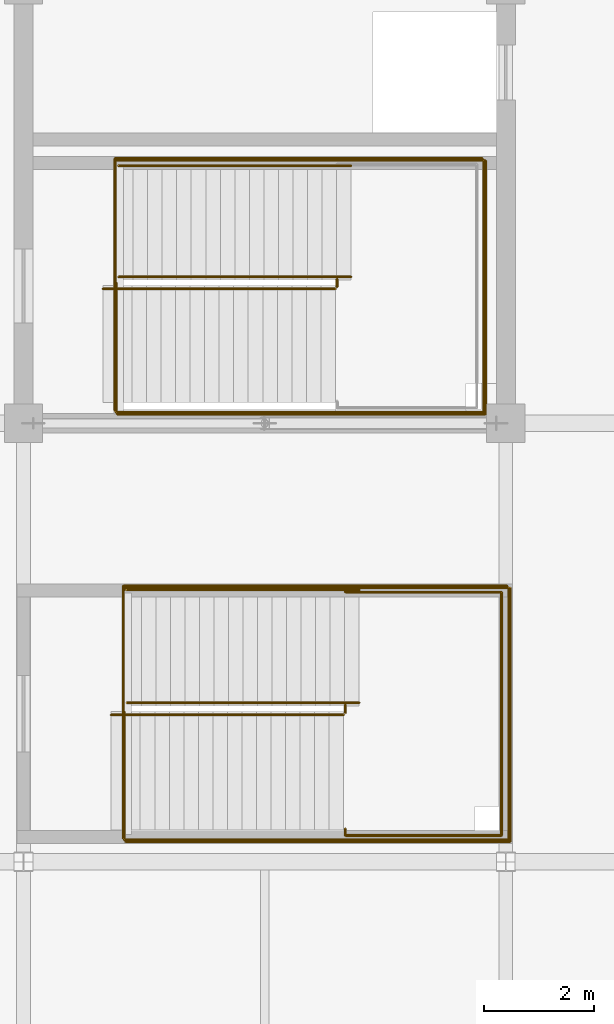
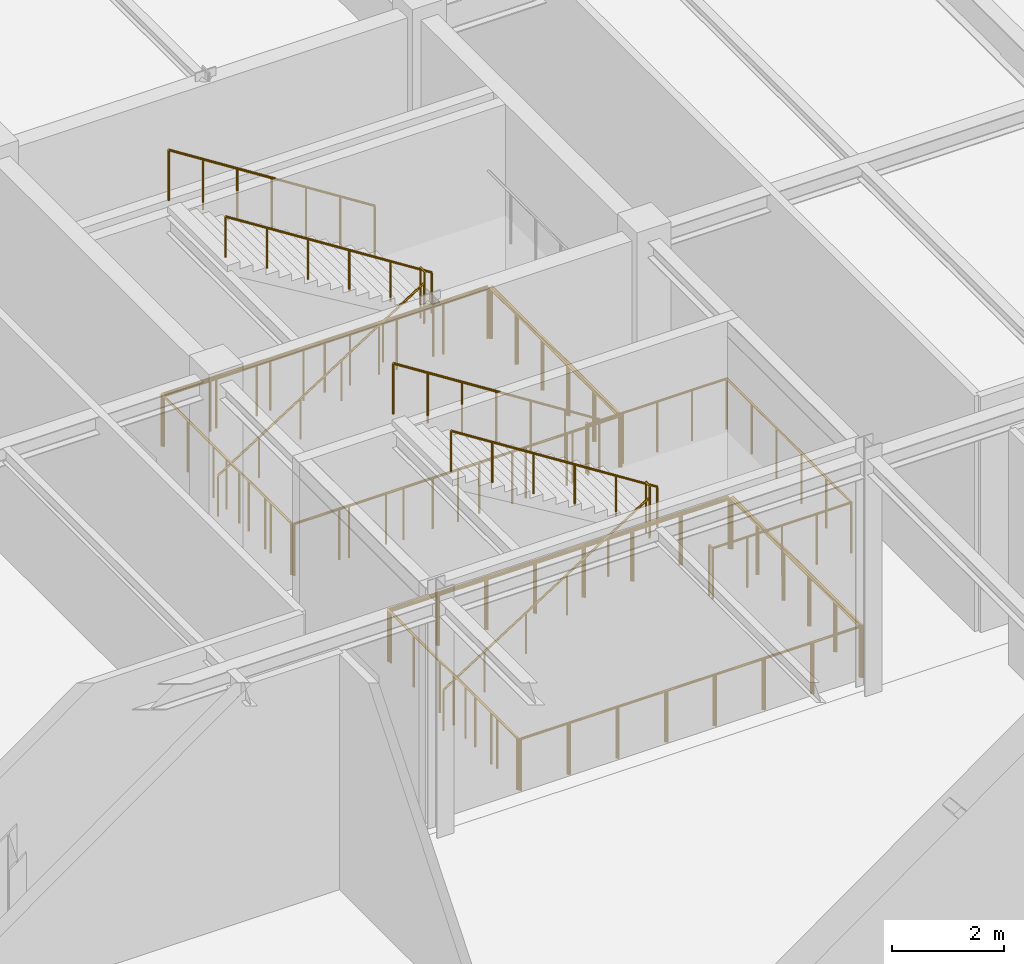
# One storey, part 102 of 108: 15 railings.
"""IFC4 building model written with IfcOpenShell, lengths in metres."""

from ifc_helpers import new_model, si_unit, direction, frame, origin, origin_2d, place, context, subcontext, project, spatial, circle, extrude, material, type_object, element, save


model = new_model("IFC4")

# Units and contexts
model_context = context("Model", 3, precision=1e-05, world=origin(), true_north=direction((0.0, 1.0)))
body_context = subcontext(model_context, "Body", "Model", "MODEL_VIEW")
ifc_project = project(units=[si_unit("LENGTHUNIT", "METRE"), si_unit("AREAUNIT", "SQUARE_METRE"), si_unit("VOLUMEUNIT", "CUBIC_METRE"), si_unit("PLANEANGLEUNIT", "RADIAN"), si_unit("MASSUNIT", "GRAM", prefix="KILO")], contexts=[model_context])

# Site, building, storey
site_placement = place(None, origin())
site = spatial("IfcSite", under=ifc_project, at=site_placement, CompositionType="ELEMENT")
building_placement = place(site_placement, origin())
building = spatial("IfcBuilding", under=site, at=building_placement, Name="Zhaolan Boulevard Law Courts", CompositionType="ELEMENT")
storey_placement = place(building_placement, frame((0.0, 0.0, 10.800048828125)))
storey = spatial("IfcBuildingStorey", under=building, at=storey_placement, Name="L02", CompositionType="ELEMENT", Elevation=10.800048828125)

# Railings
ifc_material_1 = material(Name="Powder-coated steel and tempered laminated glass", Category="steel")
railing_type_1 = type_object("IfcRailingType", Name="INTERIOR GUARDRAIL 1150", PredefinedType="GUARDRAIL", material=ifc_material_1)
railing_1_placement = place(storey_placement, frame((19.31005859375, 86.169921875, 0.0)))
element("IfcRailing", 1, at=railing_1_placement, inside=storey, type_object=railing_type_1, Name="Atrium Gallery Guardrail VG-2-V3-2A", PredefinedType="GUARDRAIL", context=body_context, shape_type="SweptSolid", body=[
    extrude(circle(Radius=0.02490234375, at=origin_2d()), frame((0.0, 0.0, 1.125), z_axis=(1.0, 0.0, 0.0), x_axis=(0.0, 1.0, 0.0)), (0.0, 0.0, 1.0), 6.719970703125),
    extrude(circle(Radius=0.02490234375, at=origin_2d()), frame((6.719970703125, 0.0, 1.125), z_axis=(0.0, 1.0, 0.0), x_axis=(-1.0, 0.0, 0.0)), (0.0, 0.0, 1.0), 4.6201171875),
    extrude(circle(Radius=0.02099609375, at=origin_2d()), origin(), (0.0, 0.0, 1.0), 1.099853515625),
    extrude(circle(Radius=0.02099609375, at=origin_2d()), frame((1.1201171875, 0.0, 0.0)), (0.0, 0.0, 1.0), 1.099853515625),
    extrude(circle(Radius=0.02099609375, at=origin_2d()), frame((2.239990234375, 0.0, 0.0)), (0.0, 0.0, 1.0), 1.099853515625),
    extrude(circle(Radius=0.02099609375, at=origin_2d()), frame((3.35986328125, 0.0, 0.0)), (0.0, 0.0, 1.0), 1.099853515625),
    extrude(circle(Radius=0.02099609375, at=origin_2d()), frame((4.47998046875, 0.0, 0.0)), (0.0, 0.0, 1.0), 1.099853515625),
    extrude(circle(Radius=0.02099609375, at=origin_2d()), frame((5.60009765625, 0.0, 0.0)), (0.0, 0.0, 1.0), 1.099853515625),
    extrude(circle(Radius=0.02099609375, at=origin_2d()), frame((6.719970703125, 0.0, 0.0)), (0.0, 0.0, 1.0), 1.099853515625),
    extrude(circle(Radius=0.02099609375, at=origin_2d()), frame((6.719970703125, 0.924072265625, 0.0)), (0.0, 0.0, 1.0), 1.099853515625),
    extrude(circle(Radius=0.02099609375, at=origin_2d()), frame((6.719970703125, 1.84814453125, 0.0)), (0.0, 0.0, 1.0), 1.099853515625),
    extrude(circle(Radius=0.02099609375, at=origin_2d()), frame((6.719970703125, 2.77197265625, 0.0)), (0.0, 0.0, 1.0), 1.099853515625),
    extrude(circle(Radius=0.02099609375, at=origin_2d()), frame((6.719970703125, 3.696044921875, 0.0)), (0.0, 0.0, 1.0), 1.099853515625),
    extrude(circle(Radius=0.02099609375, at=origin_2d()), frame((6.719970703125, 4.6201171875, 0.0)), (0.0, 0.0, 1.0), 1.099853515625),
])
railing_2_placement = place(storey_placement, frame((25.969970703125, 90.830078125, 0.0)))
element("IfcRailing", 2, at=railing_2_placement, inside=storey, type_object=railing_type_1, Name="Atrium Gallery Guardrail VG-2-V3-2B", PredefinedType="GUARDRAIL", context=body_context, shape_type="SweptSolid", body=[
    extrude(circle(Radius=0.02490234375, at=origin_2d()), frame((0.0, 0.0, 1.125), z_axis=(-1.0, 0.0, 0.0), x_axis=(0.0, -1.0, 0.0)), (0.0, 0.0, 1.0), 6.699951171875),
    extrude(circle(Radius=0.02490234375, at=origin_2d()), frame((-6.699951171875, 0.0, 1.125), z_axis=(0.0, -1.0, 0.0), x_axis=(1.0, 0.0, 0.0)), (0.0, 0.0, 1.0), 4.60009765625),
    extrude(circle(Radius=0.02099609375, at=origin_2d()), origin(), (0.0, 0.0, 1.0), 1.099853515625),
    extrude(circle(Radius=0.02099609375, at=origin_2d()), frame((-1.11669921875, 0.0, 0.0)), (0.0, 0.0, 1.0), 1.099853515625),
    extrude(circle(Radius=0.02099609375, at=origin_2d()), frame((-2.2333984375, 0.0, 0.0)), (0.0, 0.0, 1.0), 1.099853515625),
    extrude(circle(Radius=0.02099609375, at=origin_2d()), frame((-3.35009765625, 0.0, 0.0)), (0.0, 0.0, 1.0), 1.099853515625),
    extrude(circle(Radius=0.02099609375, at=origin_2d()), frame((-4.466552734375, 0.0, 0.0)), (0.0, 0.0, 1.0), 1.099853515625),
    extrude(circle(Radius=0.02099609375, at=origin_2d()), frame((-5.583251953125, 0.0, 0.0)), (0.0, 0.0, 1.0), 1.099853515625),
    extrude(circle(Radius=0.02099609375, at=origin_2d()), frame((-6.699951171875, 0.0, 0.0)), (0.0, 0.0, 1.0), 1.099853515625),
    extrude(circle(Radius=0.02099609375, at=origin_2d()), frame((-6.699951171875, -0.919921875, 0.0)), (0.0, 0.0, 1.0), 1.099853515625),
    extrude(circle(Radius=0.02099609375, at=origin_2d()), frame((-6.699951171875, -1.840087890625, 0.0)), (0.0, 0.0, 1.0), 1.099853515625),
    extrude(circle(Radius=0.02099609375, at=origin_2d()), frame((-6.699951171875, -2.760009765625, 0.0)), (0.0, 0.0, 1.0), 1.099853515625),
    extrude(circle(Radius=0.02099609375, at=origin_2d()), frame((-6.699951171875, -3.68017578125, 0.0)), (0.0, 0.0, 1.0), 1.099853515625),
    extrude(circle(Radius=0.02099609375, at=origin_2d()), frame((-6.699951171875, -4.60009765625, 0.0)), (0.0, 0.0, 1.0), 1.099853515625),
])
railing_3_placement = place(storey_placement, frame((19.4599609375, 78.3701171875, 0.0)))
element("IfcRailing", 3, at=railing_3_placement, inside=storey, type_object=railing_type_1, Name="Atrium Gallery Guardrail VG-2-V3-3A", PredefinedType="GUARDRAIL", context=body_context, shape_type="SweptSolid", body=[
    extrude(circle(Radius=0.02490234375, at=origin_2d()), frame((0.0, 0.0, 1.125), z_axis=(1.0, 0.0, 0.0), x_axis=(0.0, 1.0, 0.0)), (0.0, 0.0, 1.0), 7.02001953125),
    extrude(circle(Radius=0.02490234375, at=origin_2d()), frame((7.02001953125, 0.0, 1.125), z_axis=(0.0, 1.0, 0.0), x_axis=(-1.0, 0.0, 0.0)), (0.0, 0.0, 1.0), 4.619873046875),
    extrude(circle(Radius=0.02099609375, at=origin_2d()), origin(), (0.0, 0.0, 1.0), 1.099853515625),
    extrude(circle(Radius=0.02099609375, at=origin_2d()), frame((1.0029296875, 0.0, 0.0)), (0.0, 0.0, 1.0), 1.099853515625),
    extrude(circle(Radius=0.02099609375, at=origin_2d()), frame((2.005615234375, 0.0, 0.0)), (0.0, 0.0, 1.0), 1.099853515625),
    extrude(circle(Radius=0.02099609375, at=origin_2d()), frame((3.008544921875, 0.0, 0.0)), (0.0, 0.0, 1.0), 1.099853515625),
    extrude(circle(Radius=0.02099609375, at=origin_2d()), frame((4.011474609375, 0.0, 0.0)), (0.0, 0.0, 1.0), 1.099853515625),
    extrude(circle(Radius=0.02099609375, at=origin_2d()), frame((5.014404296875, 0.0, 0.0)), (0.0, 0.0, 1.0), 1.099853515625),
    extrude(circle(Radius=0.02099609375, at=origin_2d()), frame((6.01708984375, 0.0, 0.0)), (0.0, 0.0, 1.0), 1.099853515625),
    extrude(circle(Radius=0.02099609375, at=origin_2d()), frame((7.02001953125, 0.0, 0.0)), (0.0, 0.0, 1.0), 1.099853515625),
    extrude(circle(Radius=0.02099609375, at=origin_2d()), frame((7.02001953125, 0.924072265625, 0.0)), (0.0, 0.0, 1.0), 1.099853515625),
    extrude(circle(Radius=0.02099609375, at=origin_2d()), frame((7.02001953125, 1.847900390625, 0.0)), (0.0, 0.0, 1.0), 1.099853515625),
    extrude(circle(Radius=0.02099609375, at=origin_2d()), frame((7.02001953125, 2.77197265625, 0.0)), (0.0, 0.0, 1.0), 1.099853515625),
    extrude(circle(Radius=0.02099609375, at=origin_2d()), frame((7.02001953125, 3.69580078125, 0.0)), (0.0, 0.0, 1.0), 1.099853515625),
    extrude(circle(Radius=0.02099609375, at=origin_2d()), frame((7.02001953125, 4.619873046875, 0.0)), (0.0, 0.0, 1.0), 1.099853515625),
])
railing_4_placement = place(storey_placement, frame((26.419921875, 83.030029296875, 0.0)))
element("IfcRailing", 4, at=railing_4_placement, inside=storey, type_object=railing_type_1, Name="Atrium Gallery Guardrail VG-2-V3-3B", PredefinedType="GUARDRAIL", context=body_context, shape_type="SweptSolid", body=[
    extrude(circle(Radius=0.02490234375, at=origin_2d()), frame((0.0, 0.0, 1.125), z_axis=(-1.0, 0.0, 0.0), x_axis=(0.0, -1.0, 0.0)), (0.0, 0.0, 1.0), 7.0),
    extrude(circle(Radius=0.02490234375, at=origin_2d()), frame((-7.0, 0.0, 1.125), z_axis=(0.0, -1.0, 0.0), x_axis=(1.0, 0.0, 0.0)), (0.0, 0.0, 1.0), 4.60009765625),
    extrude(circle(Radius=0.02099609375, at=origin_2d()), origin(), (0.0, 0.0, 1.0), 1.099853515625),
    extrude(circle(Radius=0.02099609375, at=origin_2d()), frame((-1.0, 0.0, 0.0)), (0.0, 0.0, 1.0), 1.099853515625),
    extrude(circle(Radius=0.02099609375, at=origin_2d()), frame((-2.0, 0.0, 0.0)), (0.0, 0.0, 1.0), 1.099853515625),
    extrude(circle(Radius=0.02099609375, at=origin_2d()), frame((-3.0, 0.0, 0.0)), (0.0, 0.0, 1.0), 1.099853515625),
    extrude(circle(Radius=0.02099609375, at=origin_2d()), frame((-4.0, 0.0, 0.0)), (0.0, 0.0, 1.0), 1.099853515625),
    extrude(circle(Radius=0.02099609375, at=origin_2d()), frame((-5.0, 0.0, 0.0)), (0.0, 0.0, 1.0), 1.099853515625),
    extrude(circle(Radius=0.02099609375, at=origin_2d()), frame((-6.0, 0.0, 0.0)), (0.0, 0.0, 1.0), 1.099853515625),
    extrude(circle(Radius=0.02099609375, at=origin_2d()), frame((-7.0, 0.0, 0.0)), (0.0, 0.0, 1.0), 1.099853515625),
    extrude(circle(Radius=0.02099609375, at=origin_2d()), frame((-7.0, -0.919921875, 0.0)), (0.0, 0.0, 1.0), 1.099853515625),
    extrude(circle(Radius=0.02099609375, at=origin_2d()), frame((-7.0, -1.840087890625, 0.0)), (0.0, 0.0, 1.0), 1.099853515625),
    extrude(circle(Radius=0.02099609375, at=origin_2d()), frame((-7.0, -2.760009765625, 0.0)), (0.0, 0.0, 1.0), 1.099853515625),
    extrude(circle(Radius=0.02099609375, at=origin_2d()), frame((-7.0, -3.68017578125, 0.0)), (0.0, 0.0, 1.0), 1.099853515625),
    extrude(circle(Radius=0.02099609375, at=origin_2d()), frame((-7.0, -4.60009765625, 0.0)), (0.0, 0.0, 1.0), 1.099853515625),
])
ifc_material_2 = material(Name="Brushed stainless steel tubular handrail", Category="steel")
railing_type_2 = type_object("IfcRailingType", Name="STAIR HANDRAIL 900", PredefinedType="HANDRAIL", material=ifc_material_2)
railing_5_placement = place(storey_placement, frame((19.050048828125, 88.449951171875, 0.0)))
element("IfcRailing", 5, at=railing_5_placement, inside=storey, type_object=railing_type_2, Name="Stair Handrail HR-ST10-L02-1", PredefinedType="HANDRAIL", context=body_context, shape_type="SweptSolid", body=[
    extrude(circle(Radius=0.0224609375, at=origin_2d()), frame((0.0, 0.0, 0.87744140625), z_axis=(0.843501457581, 0.0, 0.537126885437), x_axis=(0.0, 1.0, 0.0)), (0.0, 0.0, 1.0), 5.026611328125),
    extrude(circle(Radius=0.01904296875, at=origin_2d()), origin(), (0.0, 0.0, 1.0), 0.85498046875),
    extrude(circle(Radius=0.01904296875, at=origin_2d()), frame((0.847900390625, 0.0, 0.5400390625)), (0.0, 0.0, 1.0), 0.85498046875),
    extrude(circle(Radius=0.01904296875, at=origin_2d()), frame((1.696044921875, 0.0, 1.080078125)), (0.0, 0.0, 1.0), 0.85498046875),
    extrude(circle(Radius=0.01904296875, at=origin_2d()), frame((2.5439453125, 0.0, 1.619873046875)), (0.0, 0.0, 1.0), 0.85498046875),
    extrude(circle(Radius=0.01904296875, at=origin_2d()), frame((3.39208984375, 0.0, 2.159912109375)), (0.0, 0.0, 1.0), 0.85498046875),
    extrude(circle(Radius=0.01904296875, at=origin_2d()), frame((4.239990234375, 0.0, 2.699951171875)), (0.0, 0.0, 1.0), 0.85498046875),
])
railing_6_placement = place(storey_placement, frame((23.574951171875, 88.669921875, 2.699951171875)))
element("IfcRailing", 6, at=railing_6_placement, inside=storey, type_object=railing_type_2, Name="Stair Handrail HR-ST10-L02-2", PredefinedType="HANDRAIL", context=body_context, shape_type="SweptSolid", body=[
    extrude(circle(Radius=0.0224609375, at=origin_2d()), frame((0.0, 0.0, 0.87744140625), z_axis=(-0.843501457581, 0.0, 0.537126885437), x_axis=(0.0, -1.0, 0.0)), (0.0, 0.0, 1.0), 5.026611328125),
    extrude(circle(Radius=0.01904296875, at=origin_2d()), origin(), (0.0, 0.0, 1.0), 0.85498046875),
    extrude(circle(Radius=0.01904296875, at=origin_2d()), frame((-0.847900390625, 0.0, 0.5400390625)), (0.0, 0.0, 1.0), 0.85498046875),
    extrude(circle(Radius=0.01904296875, at=origin_2d()), frame((-1.696044921875, 0.0, 1.080078125)), (0.0, 0.0, 1.0), 0.85498046875),
    extrude(circle(Radius=0.01904296875, at=origin_2d()), frame((-2.5439453125, 0.0, 1.619873046875)), (0.0, 0.0, 1.0), 0.85498046875),
    extrude(circle(Radius=0.01904296875, at=origin_2d()), frame((-3.39208984375, 0.0, 2.159912109375)), (0.0, 0.0, 1.0), 0.85498046875),
    extrude(circle(Radius=0.01904296875, at=origin_2d()), frame((-4.239990234375, 0.0, 2.699951171875)), (0.0, 0.0, 1.0), 0.85498046875),
])
railing_7_placement = place(storey_placement, frame((19.199951171875, 80.679931640625, 0.0)))
element("IfcRailing", 7, at=railing_7_placement, inside=storey, type_object=railing_type_2, Name="Stair Handrail HR-ST12-L02-1", PredefinedType="HANDRAIL", context=body_context, shape_type="SweptSolid", body=[
    extrude(circle(Radius=0.0224609375, at=origin_2d()), frame((0.0, 0.0, 0.87744140625), z_axis=(0.843501457581, 0.0, 0.537126885437), x_axis=(0.0, 1.0, 0.0)), (0.0, 0.0, 1.0), 5.026611328125),
    extrude(circle(Radius=0.01904296875, at=origin_2d()), origin(), (0.0, 0.0, 1.0), 0.85498046875),
    extrude(circle(Radius=0.01904296875, at=origin_2d()), frame((0.847900390625, 0.0, 0.5400390625)), (0.0, 0.0, 1.0), 0.85498046875),
    extrude(circle(Radius=0.01904296875, at=origin_2d()), frame((1.696044921875, 0.0, 1.080078125)), (0.0, 0.0, 1.0), 0.85498046875),
    extrude(circle(Radius=0.01904296875, at=origin_2d()), frame((2.5439453125, 0.0, 1.619873046875)), (0.0, 0.0, 1.0), 0.85498046875),
    extrude(circle(Radius=0.01904296875, at=origin_2d()), frame((3.39208984375, 0.0, 2.159912109375)), (0.0, 0.0, 1.0), 0.85498046875),
    extrude(circle(Radius=0.01904296875, at=origin_2d()), frame((4.239990234375, 0.0, 2.699951171875)), (0.0, 0.0, 1.0), 0.85498046875),
])
railing_8_placement = place(storey_placement, frame((23.72509765625, 80.89990234375, 2.699951171875)))
element("IfcRailing", 8, at=railing_8_placement, inside=storey, type_object=railing_type_2, Name="Stair Handrail HR-ST12-L02-2", PredefinedType="HANDRAIL", context=body_context, shape_type="SweptSolid", body=[
    extrude(circle(Radius=0.0224609375, at=origin_2d()), frame((0.0, 0.0, 0.87744140625), z_axis=(-0.843501457581, 0.0, 0.537126885437), x_axis=(0.0, -1.0, 0.0)), (0.0, 0.0, 1.0), 5.026611328125),
    extrude(circle(Radius=0.01904296875, at=origin_2d()), origin(), (0.0, 0.0, 1.0), 0.85498046875),
    extrude(circle(Radius=0.01904296875, at=origin_2d()), frame((-0.847900390625, 0.0, 0.5400390625)), (0.0, 0.0, 1.0), 0.85498046875),
    extrude(circle(Radius=0.01904296875, at=origin_2d()), frame((-1.696044921875, 0.0, 1.080078125)), (0.0, 0.0, 1.0), 0.85498046875),
    extrude(circle(Radius=0.01904296875, at=origin_2d()), frame((-2.5439453125, 0.0, 1.619873046875)), (0.0, 0.0, 1.0), 0.85498046875),
    extrude(circle(Radius=0.01904296875, at=origin_2d()), frame((-3.39208984375, 0.0, 2.159912109375)), (0.0, 0.0, 1.0), 0.85498046875),
    extrude(circle(Radius=0.01904296875, at=origin_2d()), frame((-4.239990234375, 0.0, 2.699951171875)), (0.0, 0.0, 1.0), 0.85498046875),
])
ifc_material_3 = material(Name="Powder-coated steel baluster guardrail", Category="steel")
railing_type_3 = type_object("IfcRailingType", Name="STAIR WELL GUARDRAIL 1120", PredefinedType="GUARDRAIL", material=ifc_material_3)
railing_9_placement = place(storey_placement, frame((19.2900390625, 88.56005859375, 0.0)))
element("IfcRailing", 9, at=railing_9_placement, inside=storey, type_object=railing_type_3, Name="Stair-Well Floor Guardrail WG-ST10-L01", PredefinedType="GUARDRAIL", context=body_context, shape_type="SweptSolid", body=[
    extrude(circle(Radius=0.02392578125, at=origin_2d()), frame((0.0, 0.0, 1.09619140625), z_axis=(0.0, -1.0, 0.0), x_axis=(1.0, 0.0, 0.0)), (0.0, 0.0, 1.0), 2.360107421875),
    extrude(circle(Radius=0.02392578125, at=origin_2d()), frame((0.0, -2.360107421875, 1.09619140625), z_axis=(1.0, 0.0, 0.0), x_axis=(0.0, 1.0, 0.0)), (0.0, 0.0, 1.0), 6.7099609375),
    extrude(circle(Radius=0.02392578125, at=origin_2d()), frame((6.7099609375, -2.360107421875, 1.09619140625), z_axis=(0.0, 1.0, 0.0), x_axis=(-1.0, 0.0, 0.0)), (0.0, 0.0, 1.0), 4.60009765625),
    extrude(circle(Radius=0.02392578125, at=origin_2d()), frame((6.7099609375, 2.239990234375, 1.09619140625), z_axis=(-1.0, 0.0, 0.0), x_axis=(0.0, -1.0, 0.0)), (0.0, 0.0, 1.0), 6.7099609375),
    extrude(circle(Radius=0.02392578125, at=origin_2d()), frame((0.0, 2.239990234375, 1.09619140625), z_axis=(0.0, 1.0, 0.0), x_axis=(-1.0, 0.0, 0.0)), (0.0, 0.0, 1.0), 0.02001953125),
    extrude(circle(Radius=0.02099609375, at=origin_2d()), origin(), (0.0, 0.0, 1.0), 1.072021484375),
    extrude(circle(Radius=0.02099609375, at=origin_2d()), frame((0.0, -0.78662109375, 0.0)), (0.0, 0.0, 1.0), 1.072021484375),
    extrude(circle(Radius=0.02099609375, at=origin_2d()), frame((0.0, -1.573486328125, 0.0)), (0.0, 0.0, 1.0), 1.072021484375),
    extrude(circle(Radius=0.02099609375, at=origin_2d()), frame((0.0, -2.360107421875, 0.0)), (0.0, 0.0, 1.0), 1.072021484375),
    extrude(circle(Radius=0.02099609375, at=origin_2d()), frame((0.95849609375, -2.360107421875, 0.0)), (0.0, 0.0, 1.0), 1.072021484375),
    extrude(circle(Radius=0.02099609375, at=origin_2d()), frame((1.917236328125, -2.360107421875, 0.0)), (0.0, 0.0, 1.0), 1.072021484375),
    extrude(circle(Radius=0.02099609375, at=origin_2d()), frame((2.875732421875, -2.360107421875, 0.0)), (0.0, 0.0, 1.0), 1.072021484375),
    extrude(circle(Radius=0.02099609375, at=origin_2d()), frame((3.834228515625, -2.360107421875, 0.0)), (0.0, 0.0, 1.0), 1.072021484375),
    extrude(circle(Radius=0.02099609375, at=origin_2d()), frame((4.792724609375, -2.360107421875, 0.0)), (0.0, 0.0, 1.0), 1.072021484375),
    extrude(circle(Radius=0.02099609375, at=origin_2d()), frame((5.75146484375, -2.360107421875, 0.0)), (0.0, 0.0, 1.0), 1.072021484375),
    extrude(circle(Radius=0.02099609375, at=origin_2d()), frame((6.7099609375, -2.360107421875, 0.0)), (0.0, 0.0, 1.0), 1.072021484375),
    extrude(circle(Radius=0.02099609375, at=origin_2d()), frame((6.7099609375, -1.440185546875, 0.0)), (0.0, 0.0, 1.0), 1.072021484375),
    extrude(circle(Radius=0.02099609375, at=origin_2d()), frame((6.7099609375, -0.52001953125, 0.0)), (0.0, 0.0, 1.0), 1.072021484375),
    extrude(circle(Radius=0.02099609375, at=origin_2d()), frame((6.7099609375, 0.39990234375, 0.0)), (0.0, 0.0, 1.0), 1.072021484375),
    extrude(circle(Radius=0.02099609375, at=origin_2d()), frame((6.7099609375, 1.320068359375, 0.0)), (0.0, 0.0, 1.0), 1.072021484375),
    extrude(circle(Radius=0.02099609375, at=origin_2d()), frame((6.7099609375, 2.239990234375, 0.0)), (0.0, 0.0, 1.0), 1.072021484375),
    extrude(circle(Radius=0.02099609375, at=origin_2d()), frame((5.75146484375, 2.239990234375, 0.0)), (0.0, 0.0, 1.0), 1.072021484375),
    extrude(circle(Radius=0.02099609375, at=origin_2d()), frame((4.792724609375, 2.239990234375, 0.0)), (0.0, 0.0, 1.0), 1.072021484375),
    extrude(circle(Radius=0.02099609375, at=origin_2d()), frame((3.834228515625, 2.239990234375, 0.0)), (0.0, 0.0, 1.0), 1.072021484375),
    extrude(circle(Radius=0.02099609375, at=origin_2d()), frame((2.875732421875, 2.239990234375, 0.0)), (0.0, 0.0, 1.0), 1.072021484375),
    extrude(circle(Radius=0.02099609375, at=origin_2d()), frame((1.917236328125, 2.239990234375, 0.0)), (0.0, 0.0, 1.0), 1.072021484375),
    extrude(circle(Radius=0.02099609375, at=origin_2d()), frame((0.95849609375, 2.239990234375, 0.0)), (0.0, 0.0, 1.0), 1.072021484375),
    extrude(circle(Radius=0.02099609375, at=origin_2d()), frame((0.0, 2.239990234375, 0.0)), (0.0, 0.0, 1.0), 1.072021484375),
    extrude(circle(Radius=0.02099609375, at=origin_2d()), frame((0.0, 2.260009765625, 0.0)), (0.0, 0.0, 1.0), 1.072021484375),
])
railing_10_placement = place(storey_placement, frame((23.320068359375, 88.489990234375, 2.699951171875)))
element("IfcRailing", 10, at=railing_10_placement, inside=storey, type_object=railing_type_3, Name="Half-Landing Well Guardrail SG-ST10-L02-W", PredefinedType="GUARDRAIL", context=body_context, shape_type="SweptSolid", body=[
    extrude(circle(Radius=0.02392578125, at=origin_2d()), frame((0.0, 0.0, 1.09619140625), z_axis=(0.0, 1.0, 0.0), x_axis=(-1.0, 0.0, 0.0)), (0.0, 0.0, 1.0), 0.139892578125),
    extrude(circle(Radius=0.02099609375, at=origin_2d()), origin(), (0.0, 0.0, 1.0), 1.072021484375),
    extrude(circle(Radius=0.02099609375, at=origin_2d()), frame((0.0, 0.139892578125, 0.0)), (0.0, 0.0, 1.0), 1.072021484375),
])
railing_11_placement = place(storey_placement, frame((23.574951171875, 90.699951171875, 2.699951171875)))
element("IfcRailing", 11, at=railing_11_placement, inside=storey, type_object=railing_type_3, Name="Flight Guardrail SG-ST10-L02-F2", PredefinedType="GUARDRAIL", context=body_context, shape_type="SweptSolid", body=[
    extrude(circle(Radius=0.02392578125, at=origin_2d()), frame((0.0, 0.0, 1.09619140625), z_axis=(-0.843501457581, 0.0, 0.537126885437), x_axis=(0.0, -1.0, 0.0)), (0.0, 0.0, 1.0), 5.026611328125),
    extrude(circle(Radius=0.02099609375, at=origin_2d()), origin(), (0.0, 0.0, 1.0), 1.072021484375),
    extrude(circle(Radius=0.02099609375, at=origin_2d()), frame((-0.70654296875, 0.0, 0.449951171875)), (0.0, 0.0, 1.0), 1.072021484375),
    extrude(circle(Radius=0.02099609375, at=origin_2d()), frame((-1.413330078125, 0.0, 0.89990234375)), (0.0, 0.0, 1.0), 1.072021484375),
    extrude(circle(Radius=0.02099609375, at=origin_2d()), frame((-2.1201171875, 0.0, 1.35009765625)), (0.0, 0.0, 1.0), 1.072021484375),
    extrude(circle(Radius=0.02099609375, at=origin_2d()), frame((-2.82666015625, 0.0, 1.800048828125)), (0.0, 0.0, 1.0), 1.072021484375),
    extrude(circle(Radius=0.02099609375, at=origin_2d()), frame((-3.533203125, 0.0, 2.25)), (0.0, 0.0, 1.0), 1.072021484375),
    extrude(circle(Radius=0.02099609375, at=origin_2d()), frame((-4.239990234375, 0.0, 2.699951171875)), (0.0, 0.0, 1.0), 1.072021484375),
])
railing_12_placement = place(storey_placement, frame((19.43994140625, 80.72998046875, 0.0)))
element("IfcRailing", 12, at=railing_12_placement, inside=storey, type_object=railing_type_3, Name="Stair-Well Floor Guardrail WG-ST12-L01", PredefinedType="GUARDRAIL", context=body_context, shape_type="SweptSolid", body=[
    extrude(circle(Radius=0.02392578125, at=origin_2d()), frame((0.0, 0.0, 1.09619140625), z_axis=(0.0, -1.0, 0.0), x_axis=(1.0, 0.0, 0.0)), (0.0, 0.0, 1.0), 2.330078125),
    extrude(circle(Radius=0.02392578125, at=origin_2d()), frame((0.0, -2.330078125, 1.09619140625), z_axis=(1.0, 0.0, 0.0), x_axis=(0.0, 1.0, 0.0)), (0.0, 0.0, 1.0), 7.010009765625),
    extrude(circle(Radius=0.02392578125, at=origin_2d()), frame((7.010009765625, -2.330078125, 1.09619140625), z_axis=(0.0, 1.0, 0.0), x_axis=(-1.0, 0.0, 0.0)), (0.0, 0.0, 1.0), 4.60009765625),
    extrude(circle(Radius=0.02392578125, at=origin_2d()), frame((7.010009765625, 2.27001953125, 1.09619140625), z_axis=(-1.0, 0.0, 0.0), x_axis=(0.0, -1.0, 0.0)), (0.0, 0.0, 1.0), 7.010009765625),
    extrude(circle(Radius=0.02392578125, at=origin_2d()), frame((0.0, 2.27001953125, 1.09619140625), z_axis=(0.0, -1.0, 0.0), x_axis=(1.0, 0.0, 0.0)), (0.0, 0.0, 1.0), 0.0400390625),
    extrude(circle(Radius=0.02099609375, at=origin_2d()), origin(), (0.0, 0.0, 1.0), 1.072021484375),
    extrude(circle(Radius=0.02099609375, at=origin_2d()), frame((0.0, -0.776611328125, 0.0)), (0.0, 0.0, 1.0), 1.072021484375),
    extrude(circle(Radius=0.02099609375, at=origin_2d()), frame((0.0, -1.553466796875, 0.0)), (0.0, 0.0, 1.0), 1.072021484375),
    extrude(circle(Radius=0.02099609375, at=origin_2d()), frame((0.0, -2.330078125, 0.0)), (0.0, 0.0, 1.0), 1.072021484375),
    extrude(circle(Radius=0.02099609375, at=origin_2d()), frame((1.00146484375, -2.330078125, 0.0)), (0.0, 0.0, 1.0), 1.072021484375),
    extrude(circle(Radius=0.02099609375, at=origin_2d()), frame((2.0029296875, -2.330078125, 0.0)), (0.0, 0.0, 1.0), 1.072021484375),
    extrude(circle(Radius=0.02099609375, at=origin_2d()), frame((3.00439453125, -2.330078125, 0.0)), (0.0, 0.0, 1.0), 1.072021484375),
    extrude(circle(Radius=0.02099609375, at=origin_2d()), frame((4.005615234375, -2.330078125, 0.0)), (0.0, 0.0, 1.0), 1.072021484375),
    extrude(circle(Radius=0.02099609375, at=origin_2d()), frame((5.007080078125, -2.330078125, 0.0)), (0.0, 0.0, 1.0), 1.072021484375),
    extrude(circle(Radius=0.02099609375, at=origin_2d()), frame((6.008544921875, -2.330078125, 0.0)), (0.0, 0.0, 1.0), 1.072021484375),
    extrude(circle(Radius=0.02099609375, at=origin_2d()), frame((7.010009765625, -2.330078125, 0.0)), (0.0, 0.0, 1.0), 1.072021484375),
    extrude(circle(Radius=0.02099609375, at=origin_2d()), frame((7.010009765625, -1.41015625, 0.0)), (0.0, 0.0, 1.0), 1.072021484375),
    extrude(circle(Radius=0.02099609375, at=origin_2d()), frame((7.010009765625, -0.489990234375, 0.0)), (0.0, 0.0, 1.0), 1.072021484375),
    extrude(circle(Radius=0.02099609375, at=origin_2d()), frame((7.010009765625, 0.429931640625, 0.0)), (0.0, 0.0, 1.0), 1.072021484375),
    extrude(circle(Radius=0.02099609375, at=origin_2d()), frame((7.010009765625, 1.35009765625, 0.0)), (0.0, 0.0, 1.0), 1.072021484375),
    extrude(circle(Radius=0.02099609375, at=origin_2d()), frame((7.010009765625, 2.27001953125, 0.0)), (0.0, 0.0, 1.0), 1.072021484375),
    extrude(circle(Radius=0.02099609375, at=origin_2d()), frame((6.008544921875, 2.27001953125, 0.0)), (0.0, 0.0, 1.0), 1.072021484375),
    extrude(circle(Radius=0.02099609375, at=origin_2d()), frame((5.007080078125, 2.27001953125, 0.0)), (0.0, 0.0, 1.0), 1.072021484375),
    extrude(circle(Radius=0.02099609375, at=origin_2d()), frame((4.005615234375, 2.27001953125, 0.0)), (0.0, 0.0, 1.0), 1.072021484375),
    extrude(circle(Radius=0.02099609375, at=origin_2d()), frame((3.00439453125, 2.27001953125, 0.0)), (0.0, 0.0, 1.0), 1.072021484375),
    extrude(circle(Radius=0.02099609375, at=origin_2d()), frame((2.0029296875, 2.27001953125, 0.0)), (0.0, 0.0, 1.0), 1.072021484375),
    extrude(circle(Radius=0.02099609375, at=origin_2d()), frame((1.00146484375, 2.27001953125, 0.0)), (0.0, 0.0, 1.0), 1.072021484375),
    extrude(circle(Radius=0.02099609375, at=origin_2d()), frame((0.0, 2.27001953125, 0.0)), (0.0, 0.0, 1.0), 1.072021484375),
    extrude(circle(Radius=0.02099609375, at=origin_2d()), frame((0.0, 2.22998046875, 0.0)), (0.0, 0.0, 1.0), 1.072021484375),
])
railing_13_placement = place(storey_placement, frame((23.469970703125, 78.60009765625, 2.699951171875)))
element("IfcRailing", 13, at=railing_13_placement, inside=storey, type_object=railing_type_3, Name="Half-Landing Guardrail SG-ST12-L02-M", PredefinedType="GUARDRAIL", context=body_context, shape_type="SweptSolid", body=[
    extrude(circle(Radius=0.02392578125, at=origin_2d()), frame((0.0, 0.0, 1.09619140625), z_axis=(0.0, -1.0, 0.0), x_axis=(1.0, 0.0, 0.0)), (0.0, 0.0, 1.0), 0.1201171875),
    extrude(circle(Radius=0.02392578125, at=origin_2d()), frame((0.0, -0.1201171875, 1.09619140625), z_axis=(1.0, 0.0, 0.0), x_axis=(0.0, 1.0, 0.0)), (0.0, 0.0, 1.0), 2.85009765625),
    extrude(circle(Radius=0.02392578125, at=origin_2d()), frame((2.85009765625, -0.1201171875, 1.09619140625), z_axis=(0.0, 1.0, 0.0), x_axis=(-1.0, 0.0, 0.0)), (0.0, 0.0, 1.0), 4.43994140625),
    extrude(circle(Radius=0.02392578125, at=origin_2d()), frame((2.85009765625, 4.31982421875, 1.09619140625), z_axis=(-1.0, 0.0, 0.0), x_axis=(0.0, -1.0, 0.0)), (0.0, 0.0, 1.0), 2.85009765625),
    extrude(circle(Radius=0.02392578125, at=origin_2d()), frame((0.0, 4.31982421875, 1.09619140625), z_axis=(0.0, 1.0, 0.0), x_axis=(-1.0, 0.0, 0.0)), (0.0, 0.0, 1.0), 0.06005859375),
    extrude(circle(Radius=0.02099609375, at=origin_2d()), origin(), (0.0, 0.0, 1.0), 1.072021484375),
    extrude(circle(Radius=0.02099609375, at=origin_2d()), frame((0.0, -0.1201171875, 0.0)), (0.0, 0.0, 1.0), 1.072021484375),
    extrude(circle(Radius=0.02099609375, at=origin_2d()), frame((0.71240234375, -0.1201171875, 0.0)), (0.0, 0.0, 1.0), 1.072021484375),
    extrude(circle(Radius=0.02099609375, at=origin_2d()), frame((1.425048828125, -0.1201171875, 0.0)), (0.0, 0.0, 1.0), 1.072021484375),
    extrude(circle(Radius=0.02099609375, at=origin_2d()), frame((2.1376953125, -0.1201171875, 0.0)), (0.0, 0.0, 1.0), 1.072021484375),
    extrude(circle(Radius=0.02099609375, at=origin_2d()), frame((2.85009765625, -0.1201171875, 0.0)), (0.0, 0.0, 1.0), 1.072021484375),
    extrude(circle(Radius=0.02099609375, at=origin_2d()), frame((2.85009765625, 0.767822265625, 0.0)), (0.0, 0.0, 1.0), 1.072021484375),
    extrude(circle(Radius=0.02099609375, at=origin_2d()), frame((2.85009765625, 1.65576171875, 0.0)), (0.0, 0.0, 1.0), 1.072021484375),
    extrude(circle(Radius=0.02099609375, at=origin_2d()), frame((2.85009765625, 2.5439453125, 0.0)), (0.0, 0.0, 1.0), 1.072021484375),
    extrude(circle(Radius=0.02099609375, at=origin_2d()), frame((2.85009765625, 3.431884765625, 0.0)), (0.0, 0.0, 1.0), 1.072021484375),
    extrude(circle(Radius=0.02099609375, at=origin_2d()), frame((2.85009765625, 4.31982421875, 0.0)), (0.0, 0.0, 1.0), 1.072021484375),
    extrude(circle(Radius=0.02099609375, at=origin_2d()), frame((2.1376953125, 4.31982421875, 0.0)), (0.0, 0.0, 1.0), 1.072021484375),
    extrude(circle(Radius=0.02099609375, at=origin_2d()), frame((1.425048828125, 4.31982421875, 0.0)), (0.0, 0.0, 1.0), 1.072021484375),
    extrude(circle(Radius=0.02099609375, at=origin_2d()), frame((0.71240234375, 4.31982421875, 0.0)), (0.0, 0.0, 1.0), 1.072021484375),
    extrude(circle(Radius=0.02099609375, at=origin_2d()), frame((0.0, 4.31982421875, 0.0)), (0.0, 0.0, 1.0), 1.072021484375),
    extrude(circle(Radius=0.02099609375, at=origin_2d()), frame((0.0, 4.3798828125, 0.0)), (0.0, 0.0, 1.0), 1.072021484375),
])
railing_14_placement = place(storey_placement, frame((23.469970703125, 80.719970703125, 2.699951171875)))
element("IfcRailing", 14, at=railing_14_placement, inside=storey, type_object=railing_type_3, Name="Half-Landing Well Guardrail SG-ST12-L02-W", PredefinedType="GUARDRAIL", context=body_context, shape_type="SweptSolid", body=[
    extrude(circle(Radius=0.02392578125, at=origin_2d()), frame((0.0, 0.0, 1.09619140625), z_axis=(0.0, 1.0, 0.0), x_axis=(-1.0, 0.0, 0.0)), (0.0, 0.0, 1.0), 0.14013671875),
    extrude(circle(Radius=0.02099609375, at=origin_2d()), origin(), (0.0, 0.0, 1.0), 1.072021484375),
    extrude(circle(Radius=0.02099609375, at=origin_2d()), frame((0.0, 0.14013671875, 0.0)), (0.0, 0.0, 1.0), 1.072021484375),
])
railing_15_placement = place(storey_placement, frame((23.72509765625, 82.9599609375, 2.699951171875)))
element("IfcRailing", 15, at=railing_15_placement, inside=storey, type_object=railing_type_3, Name="Flight Guardrail SG-ST12-L02-F2", PredefinedType="GUARDRAIL", context=body_context, shape_type="SweptSolid", body=[
    extrude(circle(Radius=0.02392578125, at=origin_2d()), frame((0.0, 0.0, 1.09619140625), z_axis=(-0.843501457581, 0.0, 0.537126885437), x_axis=(0.0, -1.0, 0.0)), (0.0, 0.0, 1.0), 5.026611328125),
    extrude(circle(Radius=0.02099609375, at=origin_2d()), origin(), (0.0, 0.0, 1.0), 1.072021484375),
    extrude(circle(Radius=0.02099609375, at=origin_2d()), frame((-0.70654296875, 0.0, 0.449951171875)), (0.0, 0.0, 1.0), 1.072021484375),
    extrude(circle(Radius=0.02099609375, at=origin_2d()), frame((-1.413330078125, 0.0, 0.89990234375)), (0.0, 0.0, 1.0), 1.072021484375),
    extrude(circle(Radius=0.02099609375, at=origin_2d()), frame((-2.1201171875, 0.0, 1.35009765625)), (0.0, 0.0, 1.0), 1.072021484375),
    extrude(circle(Radius=0.02099609375, at=origin_2d()), frame((-2.82666015625, 0.0, 1.800048828125)), (0.0, 0.0, 1.0), 1.072021484375),
    extrude(circle(Radius=0.02099609375, at=origin_2d()), frame((-3.533203125, 0.0, 2.25)), (0.0, 0.0, 1.0), 1.072021484375),
    extrude(circle(Radius=0.02099609375, at=origin_2d()), frame((-4.239990234375, 0.0, 2.699951171875)), (0.0, 0.0, 1.0), 1.072021484375),
])

save(model, "model.ifc")
